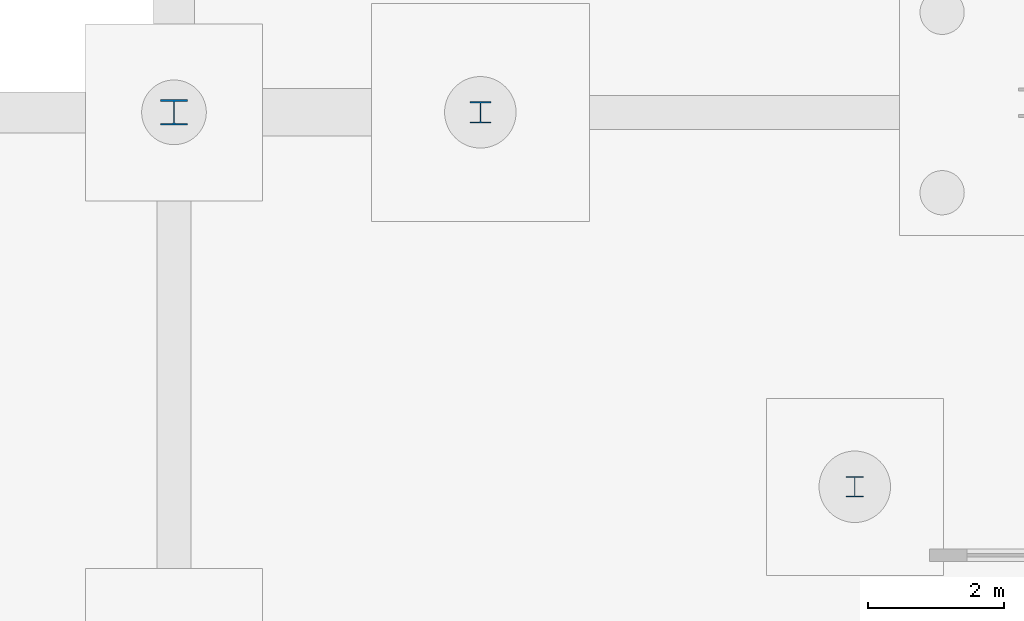
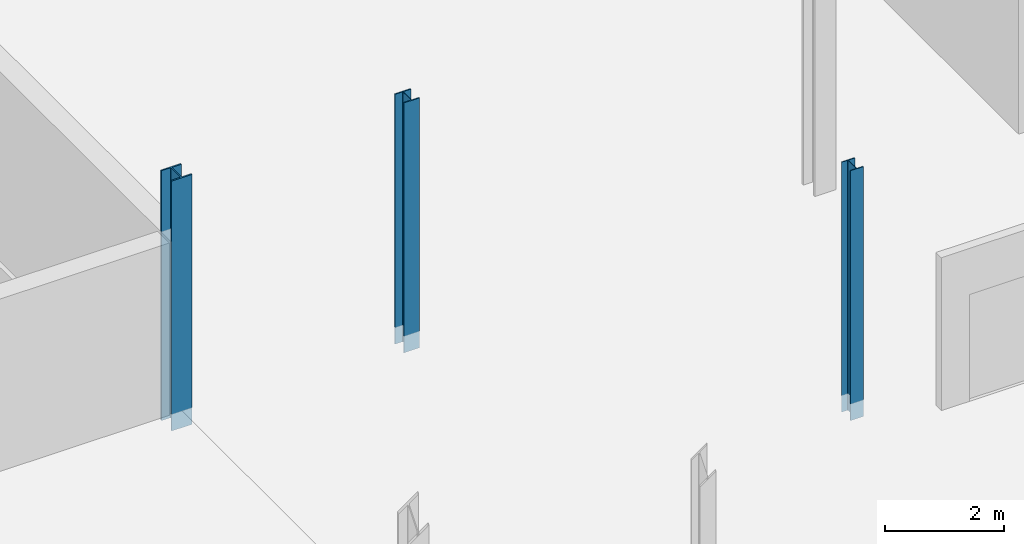
# One storey, part 12 of 37: 3 columns.
"""IFC4 building model written with IfcOpenShell, lengths in metres."""

from ifc_helpers import new_model, si_unit, direction, frame, origin, origin_2d, place, context, subcontext, project, spatial, i_section, extrude, material, material_profile, profile_set, type_object, element, save


model = new_model("IFC4")

# Units and contexts
model_context = context("Model", 3, precision=1e-05, world=origin(), true_north=direction((0.0, 1.0)))
body_context = subcontext(model_context, "Body", "Model", "MODEL_VIEW")
ifc_project = project(units=[si_unit("LENGTHUNIT", "METRE"), si_unit("AREAUNIT", "SQUARE_METRE"), si_unit("VOLUMEUNIT", "CUBIC_METRE"), si_unit("PLANEANGLEUNIT", "RADIAN"), si_unit("MASSUNIT", "GRAM", prefix="KILO"), si_unit("THERMODYNAMICTEMPERATUREUNIT", "KELVIN"), si_unit("POWERUNIT", "WATT")], contexts=[model_context])

# Site, building, storey
site_placement = place(None, origin())
site = spatial("IfcSite", under=ifc_project, at=site_placement, CompositionType="ELEMENT")
building_placement = place(site_placement, origin())
building = spatial("IfcBuilding", under=site, at=building_placement, Name="Zelmaris Science Centre", CompositionType="ELEMENT")
storey_placement = place(building_placement, frame((0.0, 0.0, -4.800048828125)))
storey = spatial("IfcBuildingStorey", under=building, at=storey_placement, Name="B1", CompositionType="ELEMENT", Elevation=-4.800048828125)

# Columns
ifc_material = material(Name="Steel ASTM A992 Grade 50", Category="steel")
ifc_material_profile_1 = material_profile(ifc_material, i_section(OverallWidth=0.39404296875, OverallDepth=0.3759765625, WebThickness=0.017333984375, FlangeThickness=0.027587890625, FilletRadius=0.014892578125, at=origin_2d()), Name="W14X145")
ifc_profile_set_1 = profile_set([ifc_material_profile_1], Name="Steel ASTM A992 Grade 50")
column_type_1 = type_object("IfcColumnType", Name="Column C-05 W14X145", PredefinedType="COLUMN", material=ifc_profile_set_1)
column_1_placement = place(storey_placement, frame((54.0, 32.0, -0.349853515625), z_axis=(0.0, 0.0, 1.0), x_axis=(1.0, 0.0, 0.0)))
element("IfcColumn", 1, at=column_1_placement, inside=storey, type_object=column_type_1, Name="Column V3-F-54-32 B1", PredefinedType="COLUMN", context=body_context, shape_type="SweptSolid", body=[
    extrude(i_section(OverallWidth=0.39404296875, OverallDepth=0.3759765625, WebThickness=0.017333984375, FlangeThickness=0.027587890625, FilletRadius=0.014892578125, at=origin_2d()), origin(), (0.0, 0.0, 1.0), 5.14990234375),
])
ifc_material_profile_2 = material_profile(ifc_material, i_section(OverallWidth=0.306884765625, OverallDepth=0.31494140625, WebThickness=0.011962890625, FlangeThickness=0.018798828125, FilletRadius=0.012939453125, at=origin_2d()), Name="W12X79")
ifc_profile_set_2 = profile_set([ifc_material_profile_2], Name="Steel ASTM A992 Grade 50")
column_type_2 = type_object("IfcColumnType", Name="Column C-08 W12X79", PredefinedType="COLUMN", material=ifc_profile_set_2)
column_2_placement = place(storey_placement, frame((58.5, 32.0, -0.349853515625), z_axis=(0.0, 0.0, 1.0), x_axis=(1.0, 0.0, 0.0)))
element("IfcColumn", 2, at=column_2_placement, inside=storey, type_object=column_type_2, Name="Column LK-W-32 B1", PredefinedType="COLUMN", context=body_context, shape_type="SweptSolid", body=[
    extrude(i_section(OverallWidth=0.306884765625, OverallDepth=0.31494140625, WebThickness=0.011962890625, FlangeThickness=0.018798828125, FilletRadius=0.012939453125, at=origin_2d()), origin(), (0.0, 0.0, 1.0), 5.14990234375),
])
ifc_material_profile_3 = material_profile(ifc_material, i_section(OverallWidth=0.25390625, OverallDepth=0.306884765625, WebThickness=0.0087890625, FlangeThickness=0.0146484375, FilletRadius=0.012939453125, at=origin_2d()), Name="W12X53")
ifc_profile_set_3 = profile_set([ifc_material_profile_3], Name="Steel ASTM A992 Grade 50")
column_type_3 = type_object("IfcColumnType", Name="Column C-09 W12X53", PredefinedType="COLUMN", material=ifc_profile_set_3)
column_3_placement = place(storey_placement, frame((64.0, 26.5, -0.349853515625), z_axis=(0.0, 0.0, 1.0), x_axis=(1.0, 0.0, 0.0)))
element("IfcColumn", 3, at=column_3_placement, inside=storey, type_object=column_type_3, Name="Column V2-B1P08 B1", PredefinedType="COLUMN", context=body_context, shape_type="SweptSolid", body=[
    extrude(i_section(OverallWidth=0.25390625, OverallDepth=0.306884765625, WebThickness=0.0087890625, FlangeThickness=0.0146484375, FilletRadius=0.012939453125, at=origin_2d()), origin(), (0.0, 0.0, 1.0), 5.14990234375),
])

save(model, "model.ifc")
